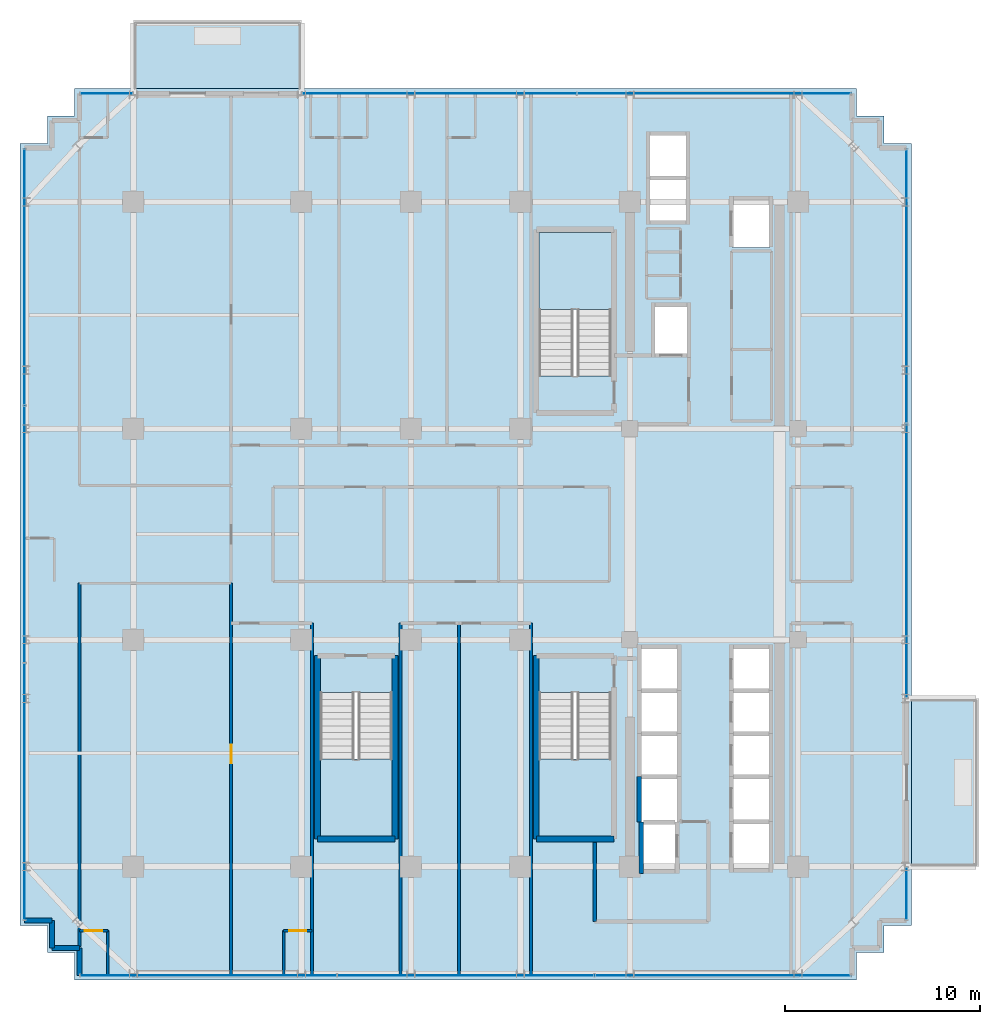
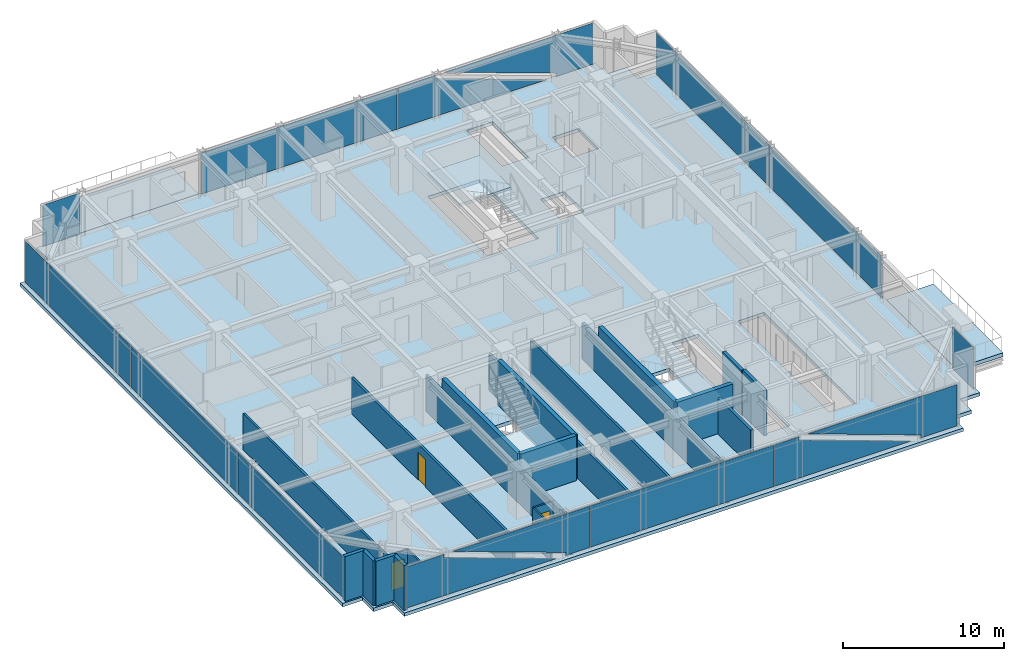
# One storey, part 21 of 29: 22 walls, 12 plates, 6 slabs, 3 doors, 3 openings, 9 elements without a shape of their own.
"""IFC4 building model written with IfcOpenShell, lengths in metres."""

from ifc_helpers import new_model, si_unit, direction, frame, frame_2d, origin, origin_2d, place, context, subcontext, project, spatial, polyline, rectangle, outline, extrude, source, transform, mapped, material, layer, layer_set, type_object, element, fill, aggregate, save


model = new_model("IFC4")

# Units and contexts
model_context = context("Model", 3, precision=1e-05, world=origin(), true_north=direction((0.0, 1.0)))
body_context = subcontext(model_context, "Body", "Model", "MODEL_VIEW")
ifc_project = project(units=[si_unit("LENGTHUNIT", "METRE"), si_unit("AREAUNIT", "SQUARE_METRE"), si_unit("VOLUMEUNIT", "CUBIC_METRE"), si_unit("PLANEANGLEUNIT", "RADIAN"), si_unit("MASSUNIT", "GRAM", prefix="KILO")], contexts=[model_context])

# Site, building, storey
site_placement = place(None, origin())
site = spatial("IfcSite", under=ifc_project, at=site_placement, CompositionType="ELEMENT")
building_placement = place(site_placement, origin())
building = spatial("IfcBuilding", under=site, at=building_placement, Name="Nahalor Promenade Grand Hotel", CompositionType="ELEMENT")
storey_placement = place(building_placement, frame((0.0, 0.0, 189.14990234375)))
storey = spatial("IfcBuildingStorey", under=building, at=storey_placement, Name="L48", CompositionType="ELEMENT", Elevation=189.14990234375)

# Curtain wall, plates
ifc_material_1 = material(Name="Anodised Bronze Aluminium EN AW-6063 T6", Category="aluminium")
curtain_wall_type = type_object("IfcCurtainWallType", Name="CW2 Typical Hotel Flush Bronze Unitised Curtain Wall", PredefinedType="USERDEFINED", material=ifc_material_1)
curtain_wall_1_placement = place(storey_placement, origin())
curtain_wall_1 = element("IfcCurtainWall", 1, at=curtain_wall_1_placement, inside=storey, type_object=curtain_wall_type, Name="L48 Curtain Wall CW-L48-S-1", ObjectType="UNITISED_CURTAIN_WALL", PredefinedType="USERDEFINED")
ifc_material_2 = material(Name="Low-E Laminated Solar Glass", Category="glass")
ifc_layer_1 = layer(ifc_material_2, 0.028076171875)
ifc_layer_set_1 = layer_set([ifc_layer_1], Name="Low-E Laminated Solar Glass")
plate_type = type_object("IfcPlateType", Name="CWP2 Bronze Low-E Vision IGU 28mm", PredefinedType="CURTAIN_PANEL", material=ifc_layer_set_1)
plate_1_placement = place(storey_placement, frame((-13.156982421875, -22.56005859375, 0.130126953125), z_axis=(0.0, 0.0, 1.0), x_axis=(1.0, 0.0, 0.0)))
plate_1 = element("IfcPlate", 2, at=plate_1_placement, type_object=plate_type, Name="CW-L48-S-1 Glazing Panel 0-0", PredefinedType="CURTAIN_PANEL", context=body_context, shape_type="SweptSolid", body=[
    extrude(outline(polyline([(-6.537841796875, 3.1298828125), (-6.537841796875, 0.0), (4.147216796875, 0.0), (-3.942626953125, 2.90673828125), (-3.8623046875, 3.1298828125), (-6.537841796875, 3.1298828125)])), frame((0.0, 0.01416015625, 0.0), z_axis=(0.0, -1.0, 0.0), x_axis=(1.0, 0.0, 0.0)), (0.0, 0.0, 1.0), 0.028076171875),
    extrude(outline(polyline([(6.537841796875, 0.0), (6.537841796875, 3.1298828125), (-3.233154296875, 3.1298828125), (4.856689453125, 0.223388671875), (4.7763671875, 0.0), (6.537841796875, 0.0)])), frame((0.0, 0.01416015625, 0.0), z_axis=(0.0, -1.0, 0.0), x_axis=(1.0, 0.0, 0.0)), (0.0, 0.0, 1.0), 0.028076171875),
])
plate_2_placement = place(storey_placement, frame((13.156982421875, -22.56005859375, 0.130126953125), z_axis=(0.0, 0.0, 1.0), x_axis=(1.0, 0.0, 0.0)))
plate_2 = element("IfcPlate", 3, at=plate_2_placement, type_object=plate_type, Name="CW-L48-S-1 Glazing Panel 2-0", PredefinedType="CURTAIN_PANEL", context=body_context, shape_type="SweptSolid", body=[
    extrude(outline(polyline([(-6.537841796875, 3.1298828125), (-6.537841796875, 0.0), (3.233154296875, 0.0), (-4.856689453125, 2.90673828125), (-4.7763671875, 3.1298828125), (-6.537841796875, 3.1298828125)])), frame((0.0, 0.01416015625, 0.0), z_axis=(0.0, -1.0, 0.0), x_axis=(1.0, 0.0, 0.0)), (0.0, 0.0, 1.0), 0.028076171875),
    extrude(outline(polyline([(6.537841796875, 0.0), (6.537841796875, 3.1298828125), (-4.147216796875, 3.1298828125), (3.942626953125, 0.223388671875), (3.8623046875, 0.0), (6.537841796875, 0.0)])), frame((0.0, 0.01416015625, 0.0), z_axis=(0.0, -1.0, 0.0), x_axis=(1.0, 0.0, 0.0)), (0.0, 0.0, 1.0), 0.028076171875),
])

# Curtain wall, plate
curtain_wall_2_placement = place(storey_placement, origin())
curtain_wall_2 = element("IfcCurtainWall", 4, at=curtain_wall_2_placement, inside=storey, type_object=curtain_wall_type, Name="L48 Curtain Wall CW-L48-N-3", ObjectType="UNITISED_CURTAIN_WALL", PredefinedType="USERDEFINED")
plate_3_placement = place(storey_placement, frame((12.703857421875, 22.56005859375, 0.130126953125), z_axis=(0.0, 0.0, 1.0), x_axis=(1.0, 0.0, 0.0)))
plate_3 = element("IfcPlate", 5, at=plate_3_placement, type_object=plate_type, Name="CW-L48-N-3 Glazing Panel 1-0", PredefinedType="CURTAIN_PANEL", context=body_context, shape_type="SweptSolid", body=[
    extrude(outline(polyline([(-6.9912109375, 3.1298828125), (-6.9912109375, 0.0), (3.6865234375, 0.0), (-4.4033203125, 2.90673828125), (-4.3232421875, 3.1298828125), (-6.9912109375, 3.1298828125)])), frame((0.0, 0.01416015625, 0.0), z_axis=(0.0, -1.0, 0.0), x_axis=(1.0, 0.0, 0.0)), (0.0, 0.0, 1.0), 0.028076171875),
    extrude(outline(polyline([(6.9912109375, 0.0), (6.9912109375, 3.1298828125), (-3.694091796875, 3.1298828125), (4.395751953125, 0.223388671875), (4.315673828125, 0.0), (6.9912109375, 0.0)])), frame((0.0, 0.01416015625, 0.0), z_axis=(0.0, -1.0, 0.0), x_axis=(1.0, 0.0, 0.0)), (0.0, 0.0, 1.0), 0.028076171875),
])

# Stair, slab
ifc_material_3 = material(Name="Concrete B-50 (C40/50)", Category="concrete")
stair_type_1 = type_object("IfcStairType", Name="Stair-ST1", PredefinedType="HALF_TURN_STAIR", material=ifc_material_3)
stair_1_placement = place(storey_placement, origin())
stair_1 = element("IfcStair", 6, at=stair_1_placement, inside=storey, type_object=stair_type_1, Name="L48 ST1", PredefinedType="HALF_TURN_STAIR")
ifc_layer_2 = layer(ifc_material_3, 0.199951171875)
ifc_layer_set_2 = layer_set([ifc_layer_2], Name="Concrete B-50 (C40/50)")
slab_type_1 = type_object("IfcSlabType", Name="Landing-ST1", PredefinedType="LANDING", material=ifc_layer_set_2)
slab_1_placement = place(storey_placement, frame((0.0, 0.0, 1.625)))
slab_1 = element("IfcSlab", 7, at=slab_1_placement, type_object=slab_type_1, Name="ST1 landing 1", PredefinedType="LANDING", context=body_context, shape_type="SweptSolid", body=[
    extrude(outline(polyline([(7.449951171875, 11.5), (7.449951171875, 15.449951171875), (3.75, 15.449951171875), (3.75, 11.5), (7.449951171875, 11.5)])), origin(), (0.0, 0.0, 1.0), 0.2001953125),
])
aggregate(stair_1, [slab_1])

stair_type_2 = type_object("IfcStairType", Name="Stair-ST2", PredefinedType="HALF_TURN_STAIR", material=ifc_material_3)
stair_2_placement = place(storey_placement, origin())
stair_2 = element("IfcStair", 8, at=stair_2_placement, inside=storey, type_object=stair_type_2, Name="L48 ST2", PredefinedType="HALF_TURN_STAIR")
ifc_layer_3 = layer(ifc_material_3, 0.2099609375)
ifc_layer_set_3 = layer_set([ifc_layer_3], Name="Concrete B-50 (C40/50)")
slab_type_2 = type_object("IfcSlabType", Name="Landing-ST2", PredefinedType="LANDING", material=ifc_layer_set_3)
slab_2_placement = place(storey_placement, frame((0.0, 0.0, 1.614990234375)))
slab_2 = element("IfcSlab", 9, at=slab_2_placement, type_object=slab_type_2, Name="ST2 landing 1", PredefinedType="LANDING", context=body_context, shape_type="SweptSolid", body=[
    extrude(outline(polyline([(3.75, -11.5), (3.75, -15.449951171875), (7.449951171875, -15.449951171875), (7.449951171875, -11.5), (3.75, -11.5)])), origin(), (0.0, 0.0, 1.0), 0.210205078125),
])
aggregate(stair_2, [slab_2])

stair_type_3 = type_object("IfcStairType", Name="Stair-ST3", PredefinedType="HALF_TURN_STAIR", material=ifc_material_3)
stair_3_placement = place(storey_placement, origin())
stair_3 = element("IfcStair", 10, at=stair_3_placement, inside=storey, type_object=stair_type_3, Name="L48 ST3", PredefinedType="HALF_TURN_STAIR")
ifc_layer_4 = layer(ifc_material_3, 0.219970703125)
ifc_layer_set_4 = layer_set([ifc_layer_4], Name="Concrete B-50 (C40/50)")
slab_type_3 = type_object("IfcSlabType", Name="Landing-ST3", PredefinedType="LANDING", material=ifc_layer_set_4)
slab_3_placement = place(storey_placement, frame((0.0, 0.0, 1.60498046875)))
slab_3 = element("IfcSlab", 11, at=slab_3_placement, type_object=slab_type_3, Name="ST3 landing 1", PredefinedType="LANDING", context=body_context, shape_type="SweptSolid", body=[
    extrude(outline(polyline([(-7.449951171875, -11.5), (-7.449951171875, -15.449951171875), (-3.75, -15.449951171875), (-3.75, -11.5), (-7.449951171875, -11.5)])), origin(), (0.0, 0.0, 1.0), 0.22021484375),
])
aggregate(stair_3, [slab_3])

# Slabs
ifc_layer_5 = layer(ifc_material_3, 0.280029296875)
ifc_layer_set_5 = layer_set([ifc_layer_5], Name="Concrete B-50 (C40/50)")
slab_type_4 = type_object("IfcSlabType", Name="Slab-Balcony-280", PredefinedType="FLOOR", material=ifc_layer_set_5)
slab_4_placement = place(storey_placement, frame((0.0, 0.0, -0.27978515625)))
element("IfcSlab", 12, at=slab_4_placement, inside=storey, type_object=slab_type_4, Name="L48 Cantilevered Planted Balcony 1", PredefinedType="FLOOR", context=body_context, shape_type="SweptSolid", body=[
    extrude(outline(polyline([(-17.0, 22.800048828125), (-8.39990234375, 22.800048828125), (-8.39990234375, 26.239990234375), (-17.0, 26.239990234375), (-17.0, 22.800048828125)])), origin(), (0.0, 0.0, 1.0), 0.27978515625),
])
slab_5_placement = place(storey_placement, frame((0.0, 0.0, -0.27978515625)))
element("IfcSlab", 13, at=slab_5_placement, inside=storey, type_object=slab_type_4, Name="L48 Cantilevered Planted Balcony 2", PredefinedType="FLOOR", context=body_context, shape_type="SweptSolid", body=[
    extrude(outline(polyline([(22.800048828125, -17.0), (26.18994140625, -17.0), (26.18994140625, -8.39990234375), (22.800048828125, -8.39990234375), (22.800048828125, -17.0)])), origin(), (0.0, 0.0, 1.0), 0.27978515625),
])
ifc_layer_6 = layer(ifc_material_3, 0.260009765625)
ifc_layer_set_6 = layer_set([ifc_layer_6], Name="Concrete B-50 (C40/50)")
slab_type_5 = type_object("IfcSlabType", Name="Slab-TowerZ3-260", PredefinedType="FLOOR", material=ifc_layer_set_6)
slab_6_placement = place(storey_placement, frame((0.0, 0.0, -0.260009765625)))
element("IfcSlab", 14, at=slab_6_placement, inside=storey, type_object=slab_type_5, Name="L48 Suspended Structural Floor Slab", PredefinedType="FLOOR", context=body_context, shape_type="SweptSolid", body=[
    extrude(outline(polyline([(-20.0, -22.800048828125), (20.0, -22.800048828125), (20.0, -21.39990234375), (21.39990234375, -21.39990234375), (21.39990234375, -20.0), (22.800048828125, -20.0), (22.800048828125, 20.0), (21.39990234375, 20.0), (21.39990234375, 21.39990234375), (20.0, 21.39990234375), (20.0, 22.800048828125), (-20.0, 22.800048828125), (-20.0, 21.39990234375), (-21.39990234375, 21.39990234375), (-21.39990234375, 20.0), (-22.800048828125, 20.0), (-22.800048828125, -20.0), (-21.39990234375, -20.0), (-21.39990234375, -21.39990234375), (-20.0, -21.39990234375), (-20.0, -22.800048828125)]), holes=[polyline([(3.75, 8.10009765625), (7.449951171875, 8.10009765625), (7.449951171875, 15.449951171875), (3.75, 15.449951171875), (3.75, 8.10009765625)]), polyline([(3.75, -15.449951171875), (7.449951171875, -15.449951171875), (7.449951171875, -8.10009765625), (3.75, -8.10009765625), (3.75, -15.449951171875)]), polyline([(-7.449951171875, -15.449951171875), (-3.75, -15.449951171875), (-3.75, -8.10009765625), (-7.449951171875, -8.10009765625), (-7.449951171875, -15.449951171875)]), polyline([(13.659912109375, -17.139892578125), (15.5400390625, -17.139892578125), (15.5400390625, -5.81005859375), (13.659912109375, -5.81005859375), (13.659912109375, -17.139892578125)]), polyline([(8.9599609375, -17.18994140625), (10.840087890625, -17.18994140625), (10.840087890625, -5.81005859375), (8.9599609375, -5.81005859375), (8.9599609375, -17.18994140625)]), polyline([(9.409912109375, 16.010009765625), (11.2900390625, 16.010009765625), (11.2900390625, 20.43994140625), (9.409912109375, 20.43994140625), (9.409912109375, 16.010009765625)]), polyline([(9.659912109375, 9.2099609375), (11.340087890625, 9.2099609375), (11.340087890625, 11.68994140625), (9.659912109375, 11.68994140625), (9.659912109375, 9.2099609375)]), polyline([(13.659912109375, 14.659912109375), (15.5400390625, 14.659912109375), (15.5400390625, 17.139892578125), (13.659912109375, 17.139892578125), (13.659912109375, 14.659912109375)])]), origin(), (0.0, 0.0, 1.0), 0.260009765625),
])

# Curtain wall, plate
curtain_wall_3_placement = place(storey_placement, origin())
curtain_wall_3 = element("IfcCurtainWall", 15, at=curtain_wall_3_placement, inside=storey, type_object=curtain_wall_type, Name="L48 Curtain Wall CW-L48-N-1", ObjectType="UNITISED_CURTAIN_WALL", PredefinedType="USERDEFINED")
shared_shape_1 = source(origin(), body_context, "Body", "SweptSolid", [
    extrude(rectangle(XDim=2.6298828125, YDim=0.028076171875, at=origin_2d()), origin(), (0.0, 0.0, 1.0), 3.1298828125),
])
plate_4_placement = place(storey_placement, frame((-18.3798828125, 22.56005859375, 0.130126953125), z_axis=(0.0, 0.0, 1.0), x_axis=(1.0, 0.0, 0.0)))
plate_4 = element("IfcPlate", 16, at=plate_4_placement, type_object=plate_type, Name="CW-L48-N-1 Glazing Panel 0-0", PredefinedType="CURTAIN_PANEL", context=body_context, shape_type="MappedRepresentation", body=[
    mapped(shared_shape_1, transform((0.0, 0.0, 0.0), scale=1.0)),
])
aggregate(curtain_wall_3, [plate_4])

curtain_wall_4_placement = place(storey_placement, origin())
curtain_wall_4 = element("IfcCurtainWall", 17, at=curtain_wall_4_placement, inside=storey, type_object=curtain_wall_type, Name="L48 Curtain Wall CW-L48-E-1", ObjectType="UNITISED_CURTAIN_WALL", PredefinedType="USERDEFINED")
plate_5_placement = place(storey_placement, frame((22.56005859375, -18.3798828125, 0.130126953125), z_axis=(0.0, 0.0, 1.0), x_axis=(0.0, 1.0, 0.0)))
plate_5 = element("IfcPlate", 18, at=plate_5_placement, type_object=plate_type, Name="CW-L48-E-1 Glazing Panel 0-0", PredefinedType="CURTAIN_PANEL", context=body_context, shape_type="MappedRepresentation", body=[
    mapped(shared_shape_1, transform((0.0, 0.0, 0.0), scale=1.0)),
])
aggregate(curtain_wall_4, [plate_5])

# Plate
shared_shape_2 = source(origin(), body_context, "Body", "SweptSolid", [
    extrude(rectangle(XDim=13.982421875, YDim=0.028076171875, at=origin_2d()), origin(), (0.0, 0.0, 1.0), 3.1298828125),
])
plate_6_placement = place(storey_placement, frame((-1.34375, 22.56005859375, 0.130126953125), z_axis=(0.0, 0.0, 1.0), x_axis=(1.0, 0.0, 0.0)))
plate_6 = element("IfcPlate", 19, at=plate_6_placement, type_object=plate_type, Name="CW-L48-N-3 Glazing Panel 0-0", PredefinedType="CURTAIN_PANEL", context=body_context, shape_type="MappedRepresentation", body=[
    mapped(shared_shape_2, transform((0.0, 0.0, 0.0), scale=1.0)),
])

aggregate(curtain_wall_2, [plate_6, plate_3])

# Curtain wall, plates
curtain_wall_5_placement = place(storey_placement, origin())
curtain_wall_5 = element("IfcCurtainWall", 20, at=curtain_wall_5_placement, inside=storey, type_object=curtain_wall_type, Name="L48 Curtain Wall CW-L48-E-3", ObjectType="UNITISED_CURTAIN_WALL", PredefinedType="USERDEFINED")
plate_7_placement = place(storey_placement, frame((22.56005859375, -1.34375, 0.130126953125), z_axis=(0.0, 0.0, 1.0), x_axis=(0.0, 1.0, 0.0)))
plate_7 = element("IfcPlate", 21, at=plate_7_placement, type_object=plate_type, Name="CW-L48-E-3 Glazing Panel 0-0", PredefinedType="CURTAIN_PANEL", context=body_context, shape_type="MappedRepresentation", body=[
    mapped(shared_shape_2, transform((0.0, 0.0, 0.0), scale=1.0)),
])
plate_8_placement = place(storey_placement, frame((22.56005859375, 12.703857421875, 0.130126953125), z_axis=(0.0, 0.0, 1.0), x_axis=(0.0, 1.0, 0.0)))
plate_8 = element("IfcPlate", 22, at=plate_8_placement, type_object=plate_type, Name="CW-L48-E-3 Glazing Panel 1-0", PredefinedType="CURTAIN_PANEL", context=body_context, shape_type="MappedRepresentation", body=[
    mapped(shared_shape_2, transform((0.0, 0.0, 0.0), scale=1.0)),
])
aggregate(curtain_wall_5, [plate_7, plate_8])

curtain_wall_6_placement = place(storey_placement, origin())
curtain_wall_6 = element("IfcCurtainWall", 23, at=curtain_wall_6_placement, inside=storey, type_object=curtain_wall_type, Name="L48 Curtain Wall CW-L48-W-1", ObjectType="UNITISED_CURTAIN_WALL", PredefinedType="USERDEFINED")
shared_shape_3 = source(origin(), body_context, "Body", "SweptSolid", [
    extrude(rectangle(XDim=13.075927734375, YDim=0.028076171875, at=origin_2d()), origin(), (0.0, 0.0, 1.0), 3.1298828125),
])
plate_9_placement = place(storey_placement, frame((-22.56005859375, -13.156982421875, 0.130126953125), z_axis=(0.0, 0.0, 1.0), x_axis=(0.0, 1.0, 0.0)))
plate_9 = element("IfcPlate", 24, at=plate_9_placement, type_object=plate_type, Name="CW-L48-W-1 Glazing Panel 0-0", PredefinedType="CURTAIN_PANEL", context=body_context, shape_type="MappedRepresentation", body=[
    mapped(shared_shape_3, transform((0.0, 0.0, 0.0), scale=1.0)),
])
plate_10_placement = place(storey_placement, frame((-22.56005859375, 13.156982421875, 0.130126953125), z_axis=(0.0, 0.0, 1.0), x_axis=(0.0, 1.0, 0.0)))
plate_10 = element("IfcPlate", 25, at=plate_10_placement, type_object=plate_type, Name="CW-L48-W-1 Glazing Panel 2-0", PredefinedType="CURTAIN_PANEL", context=body_context, shape_type="MappedRepresentation", body=[
    mapped(shared_shape_3, transform((0.0, 0.0, 0.0), scale=1.0)),
])

# Plate
shared_shape_4 = source(origin(), body_context, "Body", "SweptSolid", [
    extrude(rectangle(XDim=13.1083984375, YDim=0.028076171875, at=origin_2d()), origin(), (0.0, 0.0, 1.0), 3.1298828125),
])
plate_11_placement = place(storey_placement, frame((0.0, -22.56005859375, 0.130126953125), z_axis=(0.0, 0.0, 1.0), x_axis=(1.0, 0.0, 0.0)))
plate_11 = element("IfcPlate", 26, at=plate_11_placement, type_object=plate_type, Name="CW-L48-S-1 Glazing Panel 1-0", PredefinedType="CURTAIN_PANEL", context=body_context, shape_type="MappedRepresentation", body=[
    mapped(shared_shape_4, transform((0.0, 0.0, 0.0), scale=1.0)),
])

aggregate(curtain_wall_1, [plate_1, plate_11, plate_2])

plate_12_placement = place(storey_placement, frame((-22.56005859375, 0.0, 0.130126953125), z_axis=(0.0, 0.0, 1.0), x_axis=(0.0, 1.0, 0.0)))
plate_12 = element("IfcPlate", 27, at=plate_12_placement, type_object=plate_type, Name="CW-L48-W-1 Glazing Panel 1-0", PredefinedType="CURTAIN_PANEL", context=body_context, shape_type="MappedRepresentation", body=[
    mapped(shared_shape_4, transform((0.0, 0.0, 0.0), scale=1.0)),
])

aggregate(curtain_wall_6, [plate_9, plate_12, plate_10])

# Walls
ifc_layer_7 = layer(ifc_material_3, 0.300048828125)
ifc_layer_set_7 = layer_set([ifc_layer_7], Name="Concrete B-50 (C40/50)")
wall_type_1 = type_object("IfcWallType", Name="Wall-ShaftShear-300", PredefinedType="SHEAR", material=ifc_layer_set_7)
shared_shape_5 = source(origin(), body_context, "Body", "SweptSolid", [
    extrude(rectangle(XDim=3.97998046875, YDim=0.300048828125, at=frame_2d((1.989990234375, 0.0))), origin(), (0.0, 0.0, 1.0), 3.39013671875),
])
for number, where, z_axis, x_axis, name in (
    (28, (3.610107421875, -15.590087890625, 0.0), (0.0, 0.0, 1.0), (1.0, 0.0, 0.0), "L48 Exit Stair ST2 Shaft Wall S"),
    (29, (-7.590087890625, -15.590087890625, 0.0), (0.0, 0.0, 1.0), (1.0, 0.0, 0.0), "L48 Exit Stair ST3 Shaft Wall S"),
):
    element("IfcWall", number, at=place(storey_placement, frame(where, z_axis=z_axis, x_axis=x_axis)), inside=storey, type_object=wall_type_1, Name=name, PredefinedType="SHEAR", context=body_context, shape_type="MappedRepresentation", body=[
        mapped(shared_shape_5, transform((0.0, 0.0, 0.0), scale=1.0)),
    ])
shared_shape_6 = source(origin(), body_context, "Body", "SweptSolid", [
    extrude(rectangle(XDim=9.380126953125, YDim=0.300048828125, at=frame_2d((4.68994140625, 0.0))), origin(), (0.0, 0.0, 1.0), 3.39013671875),
])
for number, where, z_axis, x_axis, name in (
    (30, (3.610107421875, -15.590087890625, 0.0), (0.0, 0.0, 1.0), (0.0, 1.0, 0.0), "L48 Exit Stair ST2 Shaft Wall W"),
    (31, (-7.590087890625, -15.590087890625, 0.0), (0.0, 0.0, 1.0), (0.0, 1.0, 0.0), "L48 Exit Stair ST3 Shaft Wall W"),
    (32, (-3.610107421875, -15.590087890625, 0.0), (0.0, 0.0, 1.0), (0.0, 1.0, 0.0), "L48 Exit Stair ST3 Shaft Wall E"),
):
    element("IfcWall", number, at=place(storey_placement, frame(where, z_axis=z_axis, x_axis=x_axis)), inside=storey, type_object=wall_type_1, Name=name, PredefinedType="SHEAR", context=body_context, shape_type="MappedRepresentation", body=[
        mapped(shared_shape_6, transform((0.0, 0.0, 0.0), scale=1.0)),
    ])
ifc_layer_8 = layer(ifc_material_3, 0.219970703125)
ifc_layer_set_8 = layer_set([ifc_layer_8], Name="Concrete B-50 (C40/50)")
wall_type_2 = type_object("IfcWallType", Name="Wall-LiftShaft-220", PredefinedType="SHEAR", material=ifc_layer_set_8)
shared_shape_7 = source(origin(), body_context, "Body", "SweptSolid", [
    extrude(rectangle(XDim=2.3251953125, YDim=0.219970703125, at=frame_2d((1.16259765625, 0.0))), origin(), (0.0, 0.0, 1.0), 3.39013671875),
])
wall_1_placement = place(storey_placement, frame((8.8798828125, -14.72509765625, 0.0), z_axis=(0.0, 0.0, 1.0), x_axis=(0.0, 1.0, 0.0)))
element("IfcWall", 33, at=wall_1_placement, inside=storey, type_object=wall_type_2, Name="L48 Lift PL12 Hoistway Wall W", PredefinedType="SHEAR", context=body_context, shape_type="MappedRepresentation", body=[
    mapped(shared_shape_7, transform((0.0, 0.0, 0.0), scale=1.0)),
])
shared_shape_8 = source(origin(), body_context, "Body", "SweptSolid", [
    extrude(rectangle(XDim=2.635009765625, YDim=0.219970703125, at=frame_2d((1.3173828125, 0.0))), origin(), (0.0, 0.0, 1.0), 3.39013671875),
])
wall_2_placement = place(storey_placement, frame((8.97998046875, -17.360107421875, 0.0), z_axis=(0.0, 0.0, 1.0), x_axis=(0.0, 1.0, 0.0)))
element("IfcWall", 34, at=wall_2_placement, inside=storey, type_object=wall_type_2, Name="L48 Lift FL2 Hoistway Wall W", PredefinedType="SHEAR", context=body_context, shape_type="MappedRepresentation", body=[
    mapped(shared_shape_8, transform((0.0, 0.0, 0.0), scale=1.0)),
])
ifc_material_4 = material(Name="Concrete B-40 (C32/40)", Category="concrete")
ifc_layer_9 = layer(ifc_material_4, 0.25)
ifc_layer_set_9 = layer_set([ifc_layer_9], Name="Concrete B-40 (C32/40)")
wall_type_3 = type_object("IfcWallType", Name="Wall-BronzePier-250", PredefinedType="STANDARD", material=ifc_layer_set_9)
shared_shape_9 = source(origin(), body_context, "Body", "SweptSolid", [
    extrude(rectangle(XDim=1.400146484375, YDim=0.25, at=frame_2d((0.7001953125, 0.0))), origin(), (0.0, 0.0, 1.0), 3.39013671875),
])
for number, where, z_axis, x_axis, name in (
    (35, (-22.56005859375, -19.760009765625, 0.0), (0.0, 0.0, 1.0), (1.0, 0.0, 0.0), "W-L48-SR-13"),
    (36, (-19.760009765625, -22.56005859375, 0.0), (0.0, 0.0, 1.0), (0.0, 1.0, 0.0), "W-L48-SR-16"),
):
    element("IfcWall", number, at=place(storey_placement, frame(where, z_axis=z_axis, x_axis=x_axis)), inside=storey, type_object=wall_type_3, Name=name, PredefinedType="STANDARD", context=body_context, shape_type="MappedRepresentation", body=[
        mapped(shared_shape_9, transform((0.0, 0.0, 0.0), scale=1.0)),
    ])
shared_shape_10 = source(origin(), body_context, "Body", "SweptSolid", [
    extrude(rectangle(XDim=1.39990234375, YDim=0.25, at=frame_2d((0.699951171875, 0.0))), origin(), (0.0, 0.0, 1.0), 3.39013671875),
])
for number, where, z_axis, x_axis, name in (
    (37, (-21.159912109375, -21.159912109375, 0.0), (0.0, 0.0, 1.0), (0.0, 1.0, 0.0), "W-L48-SR-14"),
    (38, (-21.159912109375, -21.159912109375, 0.0), (0.0, 0.0, 1.0), (1.0, 0.0, 0.0), "W-L48-SR-15"),
):
    element("IfcWall", number, at=place(storey_placement, frame(where, z_axis=z_axis, x_axis=x_axis)), inside=storey, type_object=wall_type_3, Name=name, PredefinedType="STANDARD", context=body_context, shape_type="MappedRepresentation", body=[
        mapped(shared_shape_10, transform((0.0, 0.0, 0.0), scale=1.0)),
    ])
ifc_layer_10 = layer(ifc_material_4, 0.199951171875)
ifc_layer_set_10 = layer_set([ifc_layer_10], Name="Concrete B-40 (C32/40)")
wall_type_4 = type_object("IfcWallType", Name="Wall-PartFire-200", PredefinedType="PARTITIONING", material=ifc_layer_set_10)
shared_shape_11 = source(origin(), body_context, "Body", "SweptSolid", [
    extrude(rectangle(XDim=4.030029296875, YDim=0.199951171875, at=frame_2d((2.01513671875, 0.0))), origin(), (0.0, 0.0, 1.0), 2.72998046875),
])
wall_3_placement = place(storey_placement, frame((6.60009765625, -19.800048828125, 0.0), z_axis=(0.0, 0.0, 1.0), x_axis=(0.0, 1.0, 0.0)))
element("IfcWall", 39, at=wall_3_placement, inside=storey, type_object=wall_type_4, Name="W-L48-FF2-W1", PredefinedType="PARTITIONING", context=body_context, shape_type="MappedRepresentation", body=[
    mapped(shared_shape_11, transform((0.0, 0.0, 0.0), scale=1.0)),
])
ifc_material_5 = material(Name="Acoustic Mineral Gypsum", Category="gypsum")
ifc_layer_11 = layer(ifc_material_5, 0.159912109375)
ifc_layer_set_11 = layer_set([ifc_layer_11], Name="Acoustic Mineral Gypsum")
wall_type_5 = type_object("IfcWallType", Name="Wall-PartCorridor-160", PredefinedType="PARTITIONING", material=ifc_layer_set_11)
shared_shape_12 = source(origin(), body_context, "Body", "SweptSolid", [
    extrude(rectangle(XDim=17.949951171875, YDim=0.159912109375, at=frame_2d((8.97509765625, 0.0))), origin(), (0.0, 0.0, 1.0), 2.72998046875),
])
for number, where, z_axis, x_axis, name in (
    (40, (-3.340087890625, -22.5, 0.0), (0.0, 0.0, 1.0), (0.0, 1.0, 0.0), "W-L48-SCB1-W"),
    (41, (-0.35009765625, -22.5, 0.0), (0.0, 0.0, 1.0), (0.0, 1.0, 0.0), "W-L48-SCB1-E"),
    (42, (3.340087890625, -22.5, 0.0), (0.0, 0.0, 1.0), (0.0, 1.0, 0.0), "W-L48-SCB2-E"),
):
    element("IfcWall", number, at=place(storey_placement, frame(where, z_axis=z_axis, x_axis=x_axis)), inside=storey, type_object=wall_type_5, Name=name, PredefinedType="PARTITIONING", context=body_context, shape_type="MappedRepresentation", body=[
        mapped(shared_shape_12, transform((0.0, 0.0, 0.0), scale=1.0)),
    ])

# Wall, opening, door
shared_shape_13 = source(origin(), body_context, "Body", "SweptSolid", [
    extrude(rectangle(XDim=20.0, YDim=0.159912109375, at=frame_2d((10.0, 0.0))), origin(), (0.0, 0.0, 1.0), 2.72998046875),
])
wall_4_placement = place(storey_placement, frame((-12.0, -22.5, 0.0), z_axis=(0.0, 0.0, 1.0), x_axis=(0.0, 1.0, 0.0)))
wall_4 = element("IfcWall", 43, at=wall_4_placement, inside=storey, type_object=wall_type_5, Name="W-L48-ZSW-E", PredefinedType="PARTITIONING", context=body_context, shape_type="MappedRepresentation", body=[
    mapped(shared_shape_13, transform((0.0, 0.0, 0.0), scale=1.0)),
])
opening_1_placement = place(wall_4_placement, frame((10.784912109375, 0.0, 0.0)))
opening_1 = element("IfcOpeningElement", 44, at=opening_1_placement, cuts=wall_4, Name="Opening D-01", PredefinedType="OPENING", context=body_context, shape_type="SweptSolid", body=[
    extrude(rectangle(XDim=0.949951171875, YDim=2.10009765625, at=frame_2d((0.47509765625, 1.050048828125))), frame((0.0, 0.08984375, 0.0), z_axis=(0.0, -1.0, 0.0), x_axis=(1.0, 0.0, 0.0)), (0.0, 0.0, 1.0), 0.179931640625),
])
ifc_material_6 = material(Name="Fire-Rated Timber Composite", Category="wood")
door_type_1 = type_object("IfcDoorType", Name="Door-GuestEntry-950", OperationType="NOTDEFINED", PredefinedType="DOOR", material=ifc_material_6)
shared_shape_14 = source(origin(), body_context, "Body", "SweptSolid", [
    extrude(rectangle(XDim=0.949951171875, YDim=2.10009765625, at=frame_2d((0.47509765625, 1.050048828125))), frame((0.0, 0.02490234375, 0.0), z_axis=(0.0, -1.0, 0.0), x_axis=(1.0, 0.0, 0.0)), (0.0, 0.0, 1.0), 0.050048828125),
])
door_1_placement = place(opening_1_placement, origin())
door_1 = element("IfcDoor", 45, at=door_1_placement, inside=storey, type_object=door_type_1, Name="DR-L48-SW0-ENT", OperationType="SINGLE_SWING_LEFT", OverallHeight=2.10009765625, OverallWidth=0.949951171875, PredefinedType="DOOR", context=body_context, shape_type="MappedRepresentation", body=[
    mapped(shared_shape_14, transform((0.0, 0.0, 0.0), scale=1.0)),
])
fill(opening_1, door_1)

# Wall
ifc_layer_12 = layer(ifc_material_5, 0.139892578125)
ifc_layer_set_12 = layer_set([ifc_layer_12], Name="Acoustic Mineral Gypsum")
wall_type_6 = type_object("IfcWallType", Name="Wall-PartSuite-140", PredefinedType="PARTITIONING", material=ifc_layer_set_12)
shared_shape_15 = source(origin(), body_context, "Body", "SweptSolid", [
    extrude(rectangle(XDim=18.580078125, YDim=0.139892578125, at=frame_2d((9.2900390625, 0.0))), origin(), (0.0, 0.0, 1.0), 2.72998046875),
])
wall_5_placement = place(storey_placement, frame((-19.760009765625, -21.080078125, 0.0), z_axis=(0.0, 0.0, 1.0), x_axis=(0.0, 1.0, 0.0)))
element("IfcWall", 46, at=wall_5_placement, inside=storey, type_object=wall_type_6, Name="W-L48-ZSW-W", PredefinedType="PARTITIONING", context=body_context, shape_type="MappedRepresentation", body=[
    mapped(shared_shape_15, transform((0.0, 0.0, 0.0), scale=1.0)),
])

# Wall, opening, door
ifc_layer_13 = layer(ifc_material_5, 0.1201171875)
ifc_layer_set_13 = layer_set([ifc_layer_13], Name="Acoustic Mineral Gypsum")
wall_type_7 = type_object("IfcWallType", Name="Wall-PartBath-120", PredefinedType="PARTITIONING", material=ifc_layer_set_13)
shared_shape_16 = source(origin(), body_context, "Body", "SweptSolid", [
    extrude(rectangle(XDim=1.449951171875, YDim=0.1201171875, at=frame_2d((0.72509765625, 0.0))), origin(), (0.0, 0.0, 1.0), 2.72998046875),
])
wall_6_placement = place(storey_placement, frame((-19.760009765625, -20.280029296875, 0.0), z_axis=(0.0, 0.0, 1.0), x_axis=(1.0, 0.0, 0.0)))
wall_6 = element("IfcWall", 47, at=wall_6_placement, inside=storey, type_object=wall_type_7, Name="W-L48-SW0-BH", PredefinedType="PARTITIONING", context=body_context, shape_type="MappedRepresentation", body=[
    mapped(shared_shape_16, transform((0.0, 0.0, 0.0), scale=1.0)),
])
opening_2_placement = place(wall_6_placement, frame((0.284912109375, 0.0, 0.0)))
opening_2 = element("IfcOpeningElement", 48, at=opening_2_placement, cuts=wall_6, Name="Opening D-03", PredefinedType="OPENING", context=body_context, shape_type="SweptSolid", body=[
    extrude(rectangle(XDim=0.8798828125, YDim=2.10009765625, at=frame_2d((0.43994140625, 1.050048828125))), frame((0.0, 0.070068359375, 0.0), z_axis=(0.0, -1.0, 0.0), x_axis=(1.0, 0.0, 0.0)), (0.0, 0.0, 1.0), 0.14013671875),
])
door_type_2 = type_object("IfcDoorType", Name="Door-BathSwing-880", OperationType="NOTDEFINED", PredefinedType="DOOR", material=ifc_material_6)
shared_shape_17 = source(origin(), body_context, "Body", "SweptSolid", [
    extrude(rectangle(XDim=0.8798828125, YDim=2.10009765625, at=frame_2d((0.43994140625, 1.050048828125))), frame((0.0, 0.02490234375, 0.0), z_axis=(0.0, -1.0, 0.0), x_axis=(1.0, 0.0, 0.0)), (0.0, 0.0, 1.0), 0.050048828125),
])
door_2_placement = place(opening_2_placement, frame((0.8798828125, 0.0, 0.0), z_axis=(0.0, 0.0, 1.0), x_axis=(-1.0, 0.0, 0.0)))
door_2 = element("IfcDoor", 49, at=door_2_placement, inside=storey, type_object=door_type_2, Name="DR-L48-SW0-BATH", OperationType="SINGLE_SWING_RIGHT", OverallHeight=2.10009765625, OverallWidth=0.8798828125, PredefinedType="DOOR", context=body_context, shape_type="MappedRepresentation", body=[
    mapped(shared_shape_17, transform((0.0, 0.0, 0.0), scale=1.0)),
])
fill(opening_2, door_2)

wall_7_placement = place(storey_placement, frame((-9.31005859375, -20.280029296875, 0.0), z_axis=(0.0, 0.0, 1.0), x_axis=(1.0, 0.0, 0.0)))
wall_7 = element("IfcWall", 50, at=wall_7_placement, inside=storey, type_object=wall_type_7, Name="W-L48-S1-BH", PredefinedType="PARTITIONING", context=body_context, shape_type="MappedRepresentation", body=[
    mapped(shared_shape_16, transform((0.0, 0.0, 0.0), scale=1.0)),
])
opening_3_placement = place(wall_7_placement, frame((0.284912109375, 0.0, 0.0)))
opening_3 = element("IfcOpeningElement", 51, at=opening_3_placement, cuts=wall_7, Name="Opening D-03", PredefinedType="OPENING", context=body_context, shape_type="SweptSolid", body=[
    extrude(rectangle(XDim=0.8798828125, YDim=2.10009765625, at=frame_2d((0.43994140625, 1.050048828125))), frame((0.0, 0.070068359375, 0.0), z_axis=(0.0, -1.0, 0.0), x_axis=(1.0, 0.0, 0.0)), (0.0, 0.0, 1.0), 0.14013671875),
])
door_3_placement = place(opening_3_placement, frame((0.8798828125, 0.0, 0.0), z_axis=(0.0, 0.0, 1.0), x_axis=(-1.0, 0.0, 0.0)))
door_3 = element("IfcDoor", 52, at=door_3_placement, inside=storey, type_object=door_type_2, Name="DR-L48-S1-BATH", OperationType="SINGLE_SWING_RIGHT", OverallHeight=2.10009765625, OverallWidth=0.8798828125, PredefinedType="DOOR", context=body_context, shape_type="MappedRepresentation", body=[
    mapped(shared_shape_17, transform((0.0, 0.0, 0.0), scale=1.0)),
])
fill(opening_3, door_3)

# Walls
shared_shape_18 = source(origin(), body_context, "Body", "SweptSolid", [
    extrude(rectangle(XDim=2.219970703125, YDim=0.1201171875, at=frame_2d((1.10986328125, 0.0))), origin(), (0.0, 0.0, 1.0), 2.72998046875),
])
for number, where, z_axis, x_axis, name in (
    (53, (-18.31005859375, -22.5, 0.0), (0.0, 0.0, 1.0), (0.0, 1.0, 0.0), "W-L48-SW0-BV"),
    (54, (-9.31005859375, -22.5, 0.0), (0.0, 0.0, 1.0), (0.0, 1.0, 0.0), "W-L48-S1-BV"),
):
    element("IfcWall", number, at=place(storey_placement, frame(where, z_axis=z_axis, x_axis=x_axis)), inside=storey, type_object=wall_type_7, Name=name, PredefinedType="PARTITIONING", context=body_context, shape_type="MappedRepresentation", body=[
        mapped(shared_shape_18, transform((0.0, 0.0, 0.0), scale=1.0)),
    ])
shared_shape_19 = source(origin(), body_context, "Body", "SweptSolid", [
    extrude(rectangle(XDim=17.949951171875, YDim=0.139892578125, at=frame_2d((8.97509765625, 0.0))), origin(), (0.0, 0.0, 1.0), 2.72998046875),
])
wall_8_placement = place(storey_placement, frame((-7.860107421875, -22.5, 0.0), z_axis=(0.0, 0.0, 1.0), x_axis=(0.0, 1.0, 0.0)))
element("IfcWall", 55, at=wall_8_placement, inside=storey, type_object=wall_type_6, Name="W-L48-SW-ENDE", PredefinedType="PARTITIONING", context=body_context, shape_type="MappedRepresentation", body=[
    mapped(shared_shape_19, transform((0.0, 0.0, 0.0), scale=1.0)),
])

save(model, "model.ifc")
